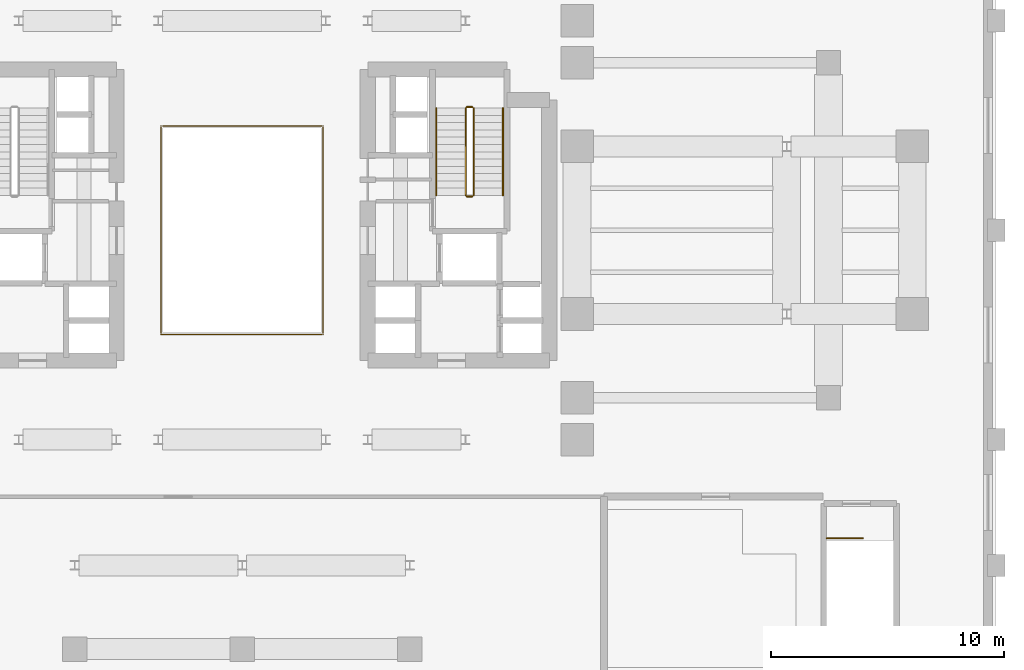
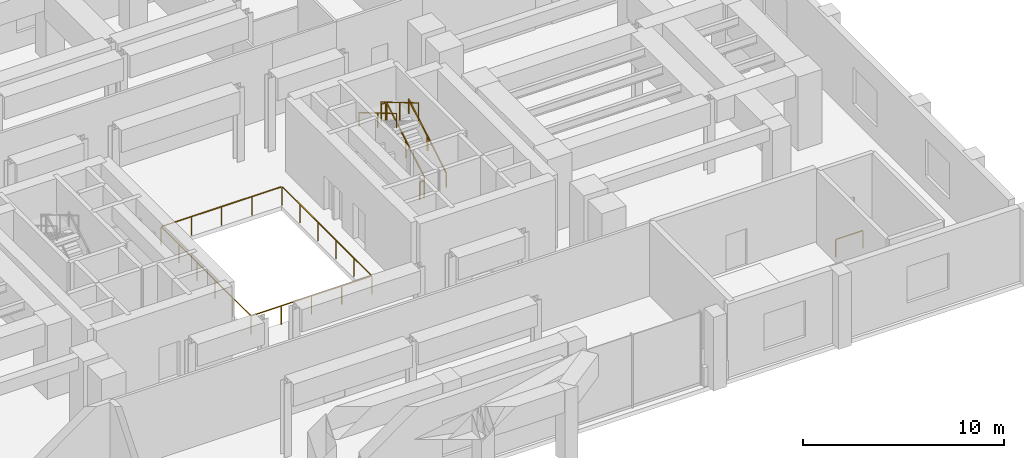
# One storey, part 13 of 13: 8 railings.
"""IFC4 building model written with IfcOpenShell, lengths in metres."""

from ifc_helpers import new_model, si_unit, direction, frame, origin, origin_2d, place, context, subcontext, project, spatial, rectangle, extrude, material, type_object, element, save


model = new_model("IFC4")

# Units and contexts
model_context = context("Model", 3, precision=1e-05, world=origin(), true_north=direction((0.0, 1.0)))
body_context = subcontext(model_context, "Body", "Model", "MODEL_VIEW")
ifc_project = project(units=[si_unit("LENGTHUNIT", "METRE"), si_unit("AREAUNIT", "SQUARE_METRE"), si_unit("VOLUMEUNIT", "CUBIC_METRE"), si_unit("PLANEANGLEUNIT", "RADIAN"), si_unit("MASSUNIT", "GRAM", prefix="KILO")], contexts=[model_context])

# Site, building, storey
site_placement = place(None, origin())
site = spatial("IfcSite", under=ifc_project, at=site_placement, CompositionType="ELEMENT")
building_placement = place(site_placement, origin())
building = spatial("IfcBuilding", under=site, at=building_placement, Name="Keilestroom Media Tower", CompositionType="ELEMENT")
storey_placement = place(building_placement, frame((0.0, 0.0, 20.39990234375)))
storey = spatial("IfcBuildingStorey", under=building, at=storey_placement, Name="L04", CompositionType="ELEMENT", Elevation=20.39990234375)

# Railings
ifc_material_1 = material(Name="Laminated Safety Glass & Bronze Steel", Category="steel")
railing_type_1 = type_object("IfcRailingType", Name="Atrium-Void-Guard-Balustrade-1150", PredefinedType="BALUSTRADE", material=ifc_material_1)
railing_1_placement = place(storey_placement, frame((-3.47998046875, -4.47998046875, 0.0)))
element("IfcRailing", 1, at=railing_1_placement, inside=storey, type_object=railing_type_1, Name="L04 Central Atrium Void Balustrade", PredefinedType="BALUSTRADE", context=body_context, shape_type="SweptSolid", body=[
    extrude(rectangle(XDim=0.048095703125, YDim=0.048095703125, at=origin_2d()), frame((0.0, 0.0, 1.1259765625), z_axis=(1.0, 0.0, 0.0), x_axis=(0.0, 1.0, 0.0)), (0.0, 0.0, 1.0), 6.911865234375),
    extrude(rectangle(XDim=0.048095703125, YDim=0.048095703125, at=origin_2d()), frame((6.9599609375, 0.048095703125, 1.1259765625), z_axis=(0.0, 1.0, 0.0), x_axis=(-1.0, 0.0, 0.0)), (0.0, 0.0, 1.0), 8.86376953125),
    extrude(rectangle(XDim=0.048095703125, YDim=0.048095703125, at=origin_2d()), frame((6.911865234375, 8.9599609375, 1.1259765625), z_axis=(-1.0, 0.0, 0.0), x_axis=(0.0, -1.0, 0.0)), (0.0, 0.0, 1.0), 6.86376953125),
    extrude(rectangle(XDim=0.048095703125, YDim=0.048095703125, at=origin_2d()), frame((0.0, 8.911865234375, 1.1259765625), z_axis=(0.0, -1.0, 0.0), x_axis=(1.0, 0.0, 0.0)), (0.0, 0.0, 1.0), 8.86376953125),
    extrude(rectangle(XDim=0.0419921875, YDim=0.0419921875, at=origin_2d()), origin(), (0.0, 0.0, 1.0), 1.09375),
    extrude(rectangle(XDim=0.0419921875, YDim=0.0419921875, at=origin_2d()), frame((1.739990234375, 0.0, 0.0)), (0.0, 0.0, 1.0), 1.09375),
    extrude(rectangle(XDim=0.0419921875, YDim=0.0419921875, at=origin_2d()), frame((3.47998046875, 0.0, 0.0)), (0.0, 0.0, 1.0), 1.09375),
    extrude(rectangle(XDim=0.0419921875, YDim=0.0419921875, at=origin_2d()), frame((5.219970703125, 0.0, 0.0)), (0.0, 0.0, 1.0), 1.09375),
    extrude(rectangle(XDim=0.0419921875, YDim=0.0419921875, at=origin_2d()), frame((6.9599609375, 0.0, 0.0)), (0.0, 0.0, 1.0), 1.09375),
    extrude(rectangle(XDim=0.0419921875, YDim=0.0419921875, at=origin_2d()), frame((6.9599609375, 1.7919921875, 0.0)), (0.0, 0.0, 1.0), 1.09375),
    extrude(rectangle(XDim=0.0419921875, YDim=0.0419921875, at=origin_2d()), frame((6.9599609375, 3.583984375, 0.0)), (0.0, 0.0, 1.0), 1.09375),
    extrude(rectangle(XDim=0.0419921875, YDim=0.0419921875, at=origin_2d()), frame((6.9599609375, 5.3759765625, 0.0)), (0.0, 0.0, 1.0), 1.09375),
    extrude(rectangle(XDim=0.0419921875, YDim=0.0419921875, at=origin_2d()), frame((6.9599609375, 7.16796875, 0.0)), (0.0, 0.0, 1.0), 1.09375),
    extrude(rectangle(XDim=0.0419921875, YDim=0.0419921875, at=origin_2d()), frame((6.9599609375, 8.9599609375, 0.0)), (0.0, 0.0, 1.0), 1.09375),
    extrude(rectangle(XDim=0.0419921875, YDim=0.0419921875, at=origin_2d()), frame((5.219970703125, 8.9599609375, 0.0)), (0.0, 0.0, 1.0), 1.09375),
    extrude(rectangle(XDim=0.0419921875, YDim=0.0419921875, at=origin_2d()), frame((3.47998046875, 8.9599609375, 0.0)), (0.0, 0.0, 1.0), 1.09375),
    extrude(rectangle(XDim=0.0419921875, YDim=0.0419921875, at=origin_2d()), frame((1.739990234375, 8.9599609375, 0.0)), (0.0, 0.0, 1.0), 1.09375),
    extrude(rectangle(XDim=0.0419921875, YDim=0.0419921875, at=origin_2d()), frame((0.0, 8.9599609375, 0.0)), (0.0, 0.0, 1.0), 1.09375),
    extrude(rectangle(XDim=0.0419921875, YDim=0.0419921875, at=origin_2d()), frame((0.0, 7.16796875, 0.0)), (0.0, 0.0, 1.0), 1.09375),
    extrude(rectangle(XDim=0.0419921875, YDim=0.0419921875, at=origin_2d()), frame((0.0, 5.3759765625, 0.0)), (0.0, 0.0, 1.0), 1.09375),
    extrude(rectangle(XDim=0.0419921875, YDim=0.0419921875, at=origin_2d()), frame((0.0, 3.583984375, 0.0)), (0.0, 0.0, 1.0), 1.09375),
    extrude(rectangle(XDim=0.0419921875, YDim=0.0419921875, at=origin_2d()), frame((0.0, 1.7919921875, 0.0)), (0.0, 0.0, 1.0), 1.09375),
])
ifc_material_2 = material(Name="Brushed Stainless Steel 1.4301", Category="steel")
railing_type_2 = type_object("IfcRailingType", Name="Stair-Pitch-Handrail-920", PredefinedType="HANDRAIL", material=ifc_material_2)
railing_2_placement = place(storey_placement, frame((11.2099609375, 1.5, 0.184814453125)))
element("IfcRailing", 2, at=railing_2_placement, inside=storey, type_object=railing_type_2, Name="L04 ST-2 stair handrail 1", PredefinedType="HANDRAIL", context=body_context, shape_type="SweptSolid", body=[
    extrude(rectangle(XDim=0.048095703125, YDim=0.048095703125, at=origin_2d()), frame((0.0, 0.0, 0.8759765625), z_axis=(0.0, 0.860621358501, 0.509245399872), x_axis=(-1.0, 0.0, 0.0)), (0.0, 0.0, 1.0), 4.350341796875),
    extrude(rectangle(XDim=0.0419921875, YDim=0.0419921875, at=origin_2d()), origin(), (0.0, 0.0, 1.0), 0.84375),
    extrude(rectangle(XDim=0.0419921875, YDim=0.0419921875, at=origin_2d()), frame((0.0, 1.8720703125, 1.107666015625)), (0.0, 0.0, 1.0), 0.84375),
    extrude(rectangle(XDim=0.0419921875, YDim=0.0419921875, at=origin_2d()), frame((0.0, 3.743896484375, 2.21533203125)), (0.0, 0.0, 1.0), 0.84375),
])
railing_3_placement = place(storey_placement, frame((8.35009765625, 5.243896484375, 2.584716796875)))
element("IfcRailing", 3, at=railing_3_placement, inside=storey, type_object=railing_type_2, Name="L04 ST-2 stair handrail 2", PredefinedType="HANDRAIL", context=body_context, shape_type="SweptSolid", body=[
    extrude(rectangle(XDim=0.048095703125, YDim=0.048095703125, at=origin_2d()), frame((0.0, 0.0, 0.8759765625), z_axis=(0.0, -0.860621358501, 0.509245399872), x_axis=(1.0, 0.0, 0.0)), (0.0, 0.0, 1.0), 4.350341796875),
    extrude(rectangle(XDim=0.0419921875, YDim=0.0419921875, at=origin_2d()), origin(), (0.0, 0.0, 1.0), 0.84375),
    extrude(rectangle(XDim=0.0419921875, YDim=0.0419921875, at=origin_2d()), frame((0.0, -1.8720703125, 1.107666015625)), (0.0, 0.0, 1.0), 0.84375),
    extrude(rectangle(XDim=0.0419921875, YDim=0.0419921875, at=origin_2d()), frame((0.0, -3.743896484375, 2.21533203125)), (0.0, 0.0, 1.0), 0.84375),
])
ifc_material_3 = material(Name="Painted Steel Balustrade", Category="steel")
railing_type_3 = type_object("IfcRailingType", Name="Stair-Well-And-Landing-Guard-1100", PredefinedType="GUARDRAIL", material=ifc_material_3)
railing_4_placement = place(storey_placement, frame((9.949951171875, 1.5, 0.184814453125)))
element("IfcRailing", 4, at=railing_4_placement, inside=storey, type_object=railing_type_3, Name="L04 ST-2 stair guard 1", PredefinedType="GUARDRAIL", context=body_context, shape_type="SweptSolid", body=[
    extrude(rectangle(XDim=0.048095703125, YDim=0.048095703125, at=origin_2d()), frame((0.0, 0.0, 1.076171875), z_axis=(0.0, 0.860621358501, 0.509245399872), x_axis=(-1.0, 0.0, 0.0)), (0.0, 0.0, 1.0), 4.350341796875),
    extrude(rectangle(XDim=0.0419921875, YDim=0.0419921875, at=origin_2d()), origin(), (0.0, 0.0, 1.0), 1.0439453125),
    extrude(rectangle(XDim=0.0419921875, YDim=0.0419921875, at=origin_2d()), frame((0.0, 1.8720703125, 1.107666015625)), (0.0, 0.0, 1.0), 1.0439453125),
    extrude(rectangle(XDim=0.0419921875, YDim=0.0419921875, at=origin_2d()), frame((0.0, 3.743896484375, 2.21533203125)), (0.0, 0.0, 1.0), 1.0439453125),
])
railing_5_placement = place(storey_placement, frame((9.89990234375, 5.2939453125, 2.400146484375)))
element("IfcRailing", 5, at=railing_5_placement, inside=storey, type_object=railing_type_3, Name="L04 ST-2 stair guard 2", PredefinedType="GUARDRAIL", context=body_context, shape_type="SweptSolid", body=[
    extrude(rectangle(XDim=0.048095703125, YDim=0.048095703125, at=origin_2d()), frame((0.0, 0.0, 1.076171875), z_axis=(-1.0, 0.0, 0.0), x_axis=(0.0, -1.0, 0.0)), (0.0, 0.0, 1.0), 0.239990234375),
    extrude(rectangle(XDim=0.0419921875, YDim=0.0419921875, at=origin_2d()), origin(), (0.0, 0.0, 1.0), 1.0439453125),
    extrude(rectangle(XDim=0.0419921875, YDim=0.0419921875, at=origin_2d()), frame((-0.239990234375, 0.0, 0.0)), (0.0, 0.0, 1.0), 1.0439453125),
])
railing_6_placement = place(storey_placement, frame((9.610107421875, 5.243896484375, 2.584716796875)))
element("IfcRailing", 6, at=railing_6_placement, inside=storey, type_object=railing_type_3, Name="L04 ST-2 stair guard 3", PredefinedType="GUARDRAIL", context=body_context, shape_type="SweptSolid", body=[
    extrude(rectangle(XDim=0.048095703125, YDim=0.048095703125, at=origin_2d()), frame((0.0, 0.0, 1.076171875), z_axis=(0.0, -0.860621358501, 0.509245399872), x_axis=(1.0, 0.0, 0.0)), (0.0, 0.0, 1.0), 4.350341796875),
    extrude(rectangle(XDim=0.0419921875, YDim=0.0419921875, at=origin_2d()), origin(), (0.0, 0.0, 1.0), 1.0439453125),
    extrude(rectangle(XDim=0.0419921875, YDim=0.0419921875, at=origin_2d()), frame((0.0, -1.8720703125, 1.107666015625)), (0.0, 0.0, 1.0), 1.0439453125),
    extrude(rectangle(XDim=0.0419921875, YDim=0.0419921875, at=origin_2d()), frame((0.0, -3.743896484375, 2.21533203125)), (0.0, 0.0, 1.0), 1.0439453125),
])
railing_7_placement = place(storey_placement, frame((9.89990234375, 1.449951171875, 0.0)))
element("IfcRailing", 7, at=railing_7_placement, inside=storey, type_object=railing_type_3, Name="L04 ST-2 stair guard 4", PredefinedType="GUARDRAIL", context=body_context, shape_type="SweptSolid", body=[
    extrude(rectangle(XDim=0.048095703125, YDim=0.048095703125, at=origin_2d()), frame((0.0, 0.0, 1.076171875), z_axis=(-1.0, 0.0, 0.0), x_axis=(0.0, -1.0, 0.0)), (0.0, 0.0, 1.0), 0.239990234375),
    extrude(rectangle(XDim=0.0419921875, YDim=0.0419921875, at=origin_2d()), origin(), (0.0, 0.0, 1.0), 1.0439453125),
    extrude(rectangle(XDim=0.0419921875, YDim=0.0419921875, at=origin_2d()), frame((-0.239990234375, 0.0, 0.0)), (0.0, 0.0, 1.0), 1.0439453125),
])
railing_8_placement = place(storey_placement, frame((25.1201171875, -13.239990234375, 0.0)))
element("IfcRailing", 8, at=railing_8_placement, inside=storey, type_object=railing_type_3, Name="L04 ST-4 top well guard 1", PredefinedType="GUARDRAIL", context=body_context, shape_type="SweptSolid", body=[
    extrude(rectangle(XDim=0.048095703125, YDim=0.048095703125, at=origin_2d()), frame((0.0, 0.0, 1.076171875), z_axis=(1.0, 0.0, 0.0), x_axis=(0.0, 1.0, 0.0)), (0.0, 0.0, 1.0), 1.559814453125),
    extrude(rectangle(XDim=0.0419921875, YDim=0.0419921875, at=origin_2d()), origin(), (0.0, 0.0, 1.0), 1.0439453125),
    extrude(rectangle(XDim=0.0419921875, YDim=0.0419921875, at=origin_2d()), frame((1.559814453125, 0.0, 0.0)), (0.0, 0.0, 1.0), 1.0439453125),
])

save(model, "model.ifc")
